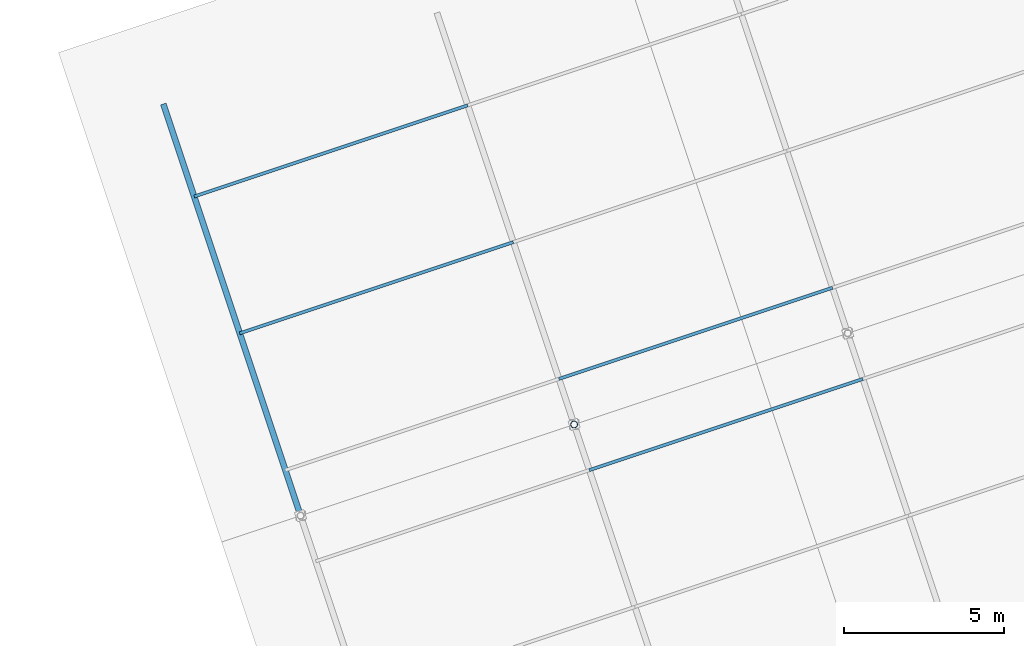
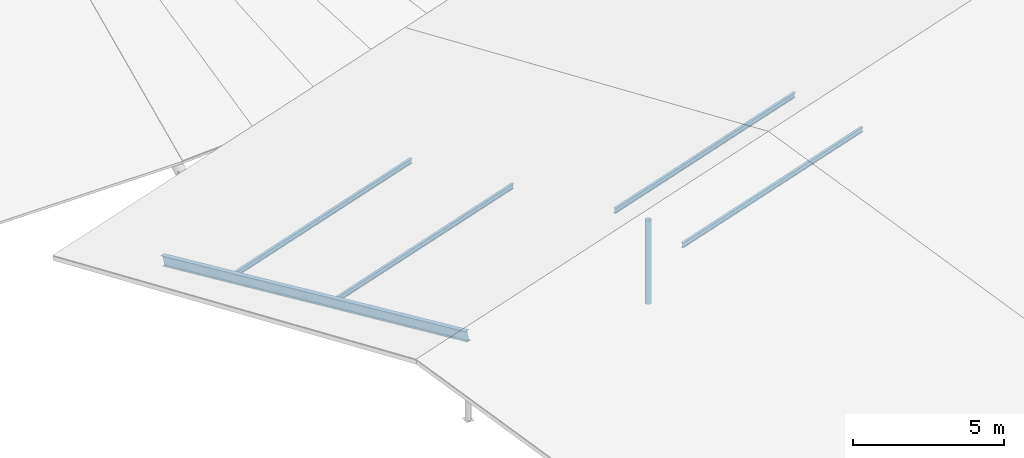
# One storey, part 25 of 107: 6 members.
"""IFC4 building model written with IfcOpenShell, lengths in metres."""

from ifc_helpers import new_model, si_unit, derived_unit, direction, frame, origin, origin_2d, place, context, subcontext, project, spatial, hollow_circle, i_section, extrude, material, material_profile, profile_set, type_object, element, save


model = new_model("IFC4")

# Units and contexts
model_context = context("Model", 3, precision=1e-05, world=origin(), true_north=direction((0.0, 1.0)))
body_context = subcontext(model_context, "Body", "Model", "MODEL_VIEW")
ifc_project = project(units=[si_unit("LENGTHUNIT", "METRE"), si_unit("AREAUNIT", "SQUARE_METRE"), si_unit("VOLUMEUNIT", "CUBIC_METRE"), si_unit("PLANEANGLEUNIT", "RADIAN"), si_unit("MASSUNIT", "GRAM", prefix="KILO"), si_unit("THERMODYNAMICTEMPERATUREUNIT", "KELVIN"), si_unit("TIMEUNIT", "SECOND"), derived_unit("THERMALTRANSMITTANCEUNIT", [(si_unit("MASSUNIT", "GRAM", prefix="KILO"), 1), (si_unit("THERMODYNAMICTEMPERATUREUNIT", "KELVIN"), -1), (si_unit("TIMEUNIT", "SECOND"), -3)])], contexts=[model_context])

# Site, building, storey
site_placement = place(None, origin())
site = spatial("IfcSite", under=ifc_project, at=site_placement, CompositionType="ELEMENT")
building_placement = place(site_placement, origin())
building = spatial("IfcBuilding", under=site, at=building_placement, Name="Cambertide Market Hall", CompositionType="ELEMENT")
storey_placement = place(building_placement, frame((0.0, 0.0, 18.300048828125)))
storey = spatial("IfcBuildingStorey", under=building, at=storey_placement, Name="RF", CompositionType="ELEMENT", Elevation=18.300048828125)

# Members
ifc_material_1 = material(Name="Steel S355", Category="steel")
ifc_material_profile_1 = material_profile(ifc_material_1, i_section(OverallWidth=0.179931640625, OverallDepth=0.39990234375, WebThickness=0.008544921875, FlangeThickness=0.013427734375, FilletRadius=0.02099609375, at=origin_2d()), Name="IPE 400")
ifc_profile_set_1 = profile_set([ifc_material_profile_1], Name="Steel S355")
member_type_1 = type_object("IfcMemberType", Name="Radial Fan Rafter IPE 400", PredefinedType="RAFTER", material=ifc_profile_set_1)
member_1_placement = place(storey_placement, frame((97.4619140625, 37.614501953125, -4.400146484375), z_axis=(0.307717896075, -0.923171286184, 0.230357272082), x_axis=(0.948685106467, 0.316222340717, 0.0)))
element("IfcMember", 1, at=member_1_placement, inside=storey, type_object=member_type_1, Name="RAF-V3N-1", PredefinedType="RAFTER", context=body_context, shape_type="SweptSolid", body=[
    extrude(i_section(OverallWidth=0.179931640625, OverallDepth=0.39990234375, WebThickness=0.008544921875, FlangeThickness=0.013427734375, FilletRadius=0.02099609375, at=origin_2d()), origin(), (0.0, 0.0, 1.0), 13.873291015625),
])
ifc_material_2 = material(Name="Steel S275", Category="steel")
ifc_material_profile_2 = material_profile(ifc_material_2, i_section(OverallWidth=0.10009765625, OverallDepth=0.199951171875, WebThickness=0.005615234375, FlangeThickness=0.008544921875, FilletRadius=0.011962890625, at=origin_2d()), Name="IPE 200")
ifc_profile_set_2 = profile_set([ifc_material_profile_2], Name="Steel S275")
member_type_2 = type_object("IfcMemberType", Name="Roof Purlin IPE 200", PredefinedType="PURLIN", material=ifc_profile_set_2)
member_2_placement = place(storey_placement, frame((99.83349609375, 30.499267578125, -2.624755859375), z_axis=(0.948680585407, 0.316235903831, 0.0), x_axis=(-0.316235903831, 0.948680585407, 0.0)))
element("IfcMember", 2, at=member_2_placement, inside=storey, type_object=member_type_2, Name="PUR-V3-1-19", PredefinedType="PURLIN", context=body_context, shape_type="SweptSolid", body=[
    extrude(i_section(OverallWidth=0.10009765625, OverallDepth=0.199951171875, WebThickness=0.005615234375, FlangeThickness=0.008544921875, FilletRadius=0.011962890625, at=origin_2d()), origin(), (0.0, 0.0, 1.0), 9.000244140625),
])
for number, where, z_axis, x_axis, name in (
    (3, (98.41064453125, 34.768310546875, -3.68994140625), (0.948677872554, 0.31624404204, 0.0), (-0.31624404204, 0.948677872554, 0.0), "PUR-V3-1-24"),
    (4, (110.743408203125, 26.230224609375, -1.5595703125), (0.948677872554, 0.31624404204, 0.0), (-0.31624404204, 0.948677872554, 0.0), "PUR-V3-2-12"),
    (5, (109.794677734375, 29.076416015625, -1.5595703125), (0.948686010717, 0.3162196279, 0.0), (-0.3162196279, 0.948686010717, 0.0), "PUR-V3-2-15"),
):
    element("IfcMember", number, at=place(storey_placement, frame(where, z_axis=z_axis, x_axis=x_axis)), inside=storey, type_object=member_type_2, Name=name, PredefinedType="PURLIN", context=body_context, shape_type="SweptSolid", body=[
        extrude(i_section(OverallWidth=0.10009765625, OverallDepth=0.199951171875, WebThickness=0.005615234375, FlangeThickness=0.008544921875, FilletRadius=0.011962890625, at=origin_2d()), origin(), (0.0, 0.0, 1.0), 9.0),
    ])
ifc_material_3 = material(Name="Steel S355", Category="steel")
ifc_material_profile_3 = material_profile(ifc_material_3, hollow_circle(Radius=0.109619140625, WallThickness=0.008056640625, at=origin_2d()), Name="CHS 219.1x8")
ifc_profile_set_3 = profile_set([ifc_material_profile_3], Name="Steel S355")
member_type_3 = type_object("IfcMemberType", Name="Structural Brace CHS 219.1x8", PredefinedType="BRACE", material=ifc_profile_set_3)
member_3_placement = place(storey_placement, frame((110.26904296875, 27.6533203125, -4.580078125), z_axis=(0.0, 0.0, 1.0), x_axis=(1.0, 0.0, 0.0)))
element("IfcMember", 6, at=member_3_placement, inside=storey, type_object=member_type_3, Name="KP-V3-2", PredefinedType="BRACE", context=body_context, shape_type="SweptSolid", body=[
    extrude(hollow_circle(Radius=0.109619140625, WallThickness=0.008056640625, at=origin_2d()), origin(), (0.0, 0.0, 1.0), 3.375732421875),
])

save(model, "model.ifc")
